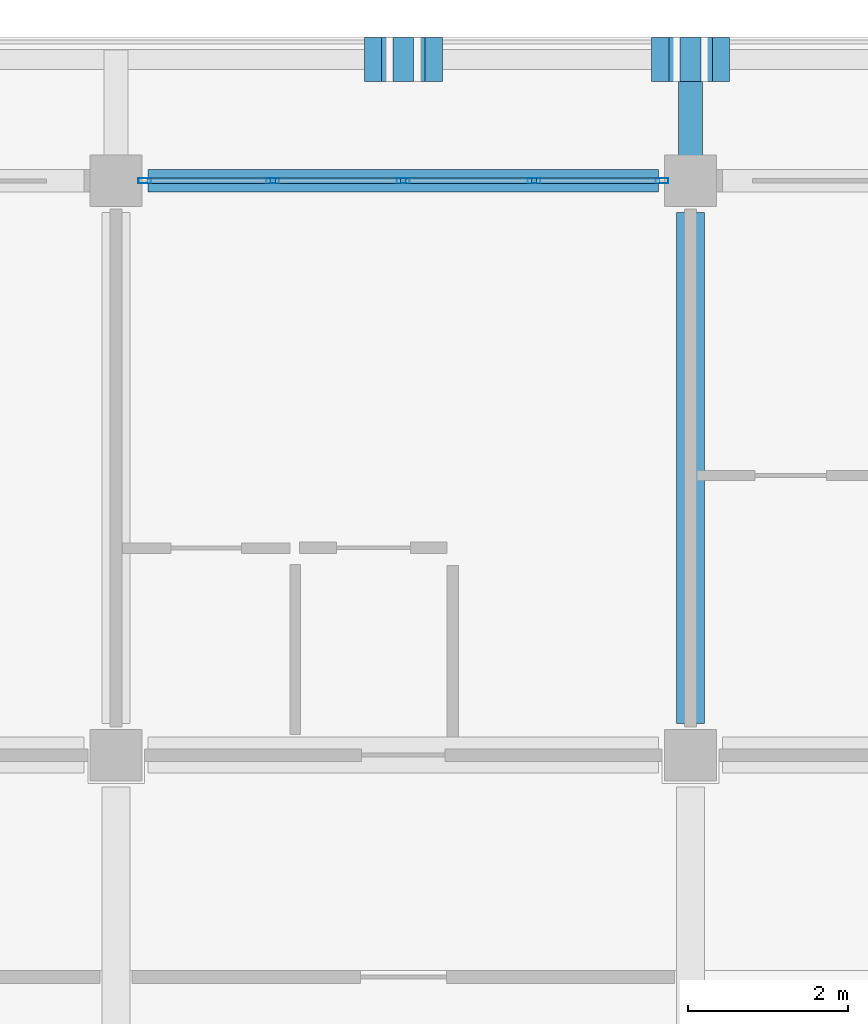
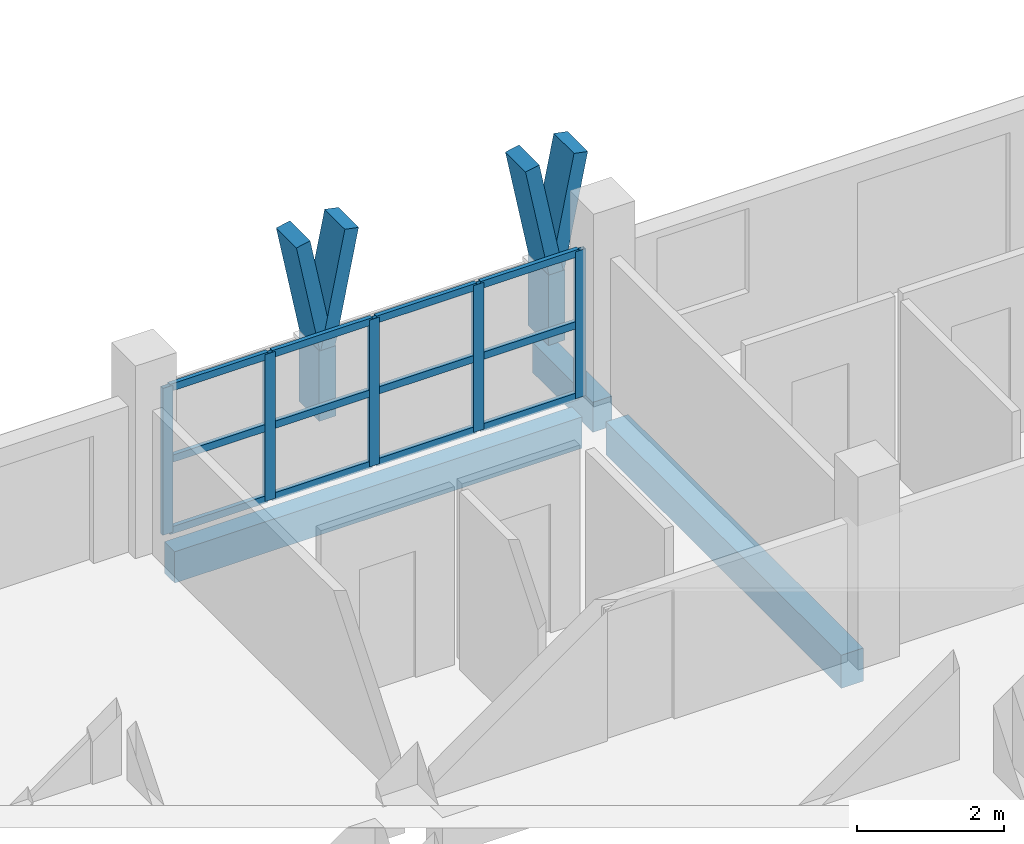
# One storey, part 35 of 157: 23 members, 3 beams, 1 element without a shape of its own.
"""IFC4 building model written with IfcOpenShell, lengths in metres."""

from ifc_helpers import new_model, si_unit, direction, frame, origin, origin_2d, place, context, subcontext, project, spatial, rectangle, hollow_rectangle, extrude, material, material_profile, profile_set, type_object, element, aggregate, save


model = new_model("IFC4")

# Units and contexts
model_context = context("Model", 3, precision=1e-05, world=origin(), true_north=direction((0.0, 1.0)))
body_context = subcontext(model_context, "Body", "Model", "MODEL_VIEW")
ifc_project = project(units=[si_unit("LENGTHUNIT", "METRE"), si_unit("AREAUNIT", "SQUARE_METRE"), si_unit("VOLUMEUNIT", "CUBIC_METRE"), si_unit("PLANEANGLEUNIT", "RADIAN"), si_unit("MASSUNIT", "GRAM", prefix="KILO")], contexts=[model_context])

# Site, building, storey
site_placement = place(None, origin())
site = spatial("IfcSite", under=ifc_project, at=site_placement, CompositionType="ELEMENT")
building_placement = place(site_placement, origin())
building = spatial("IfcBuilding", under=site, at=building_placement, Name="Suanplinth Sawtooth Commons", CompositionType="ELEMENT")
storey_placement = place(building_placement, frame((0.0, 0.0, 9.0)))
storey = spatial("IfcBuildingStorey", under=building, at=storey_placement, Name="L02", CompositionType="ELEMENT", Elevation=9.0)

# Beams
ifc_material_1 = material(Name="Precast concrete C40/50", Category="concrete")
ifc_material_profile_1 = material_profile(ifc_material_1, rectangle(XDim=0.35009765625, YDim=0.550048828125, at=origin_2d()), Name="PC-BM 350x550")
ifc_profile_set_1 = profile_set([ifc_material_profile_1], Name="Precast concrete C40/50")
beam_type_1 = type_object("IfcBeamType", Name="B-06", PredefinedType="BEAM", material=ifc_profile_set_1)
beam_1_placement = place(storey_placement, frame((43.199951171875, 115.60009765625, -0.52490234375), z_axis=(0.0, 1.0, 0.0), x_axis=(-1.0, 0.0, 0.0)))
element("IfcBeam", 1, at=beam_1_placement, inside=storey, type_object=beam_type_1, Name="BMY-L02-A-6-16", PredefinedType="BEAM", context=body_context, shape_type="SweptSolid", body=[
    extrude(rectangle(XDim=0.35009765625, YDim=0.550048828125, at=origin_2d()), origin(), (0.0, 0.0, 1.0), 6.39990234375),
])
ifc_material_profile_2 = material_profile(ifc_material_1, rectangle(XDim=0.300048828125, YDim=0.5, at=origin_2d()), Name="PC-BM 300x500")
ifc_profile_set_2 = profile_set([ifc_material_profile_2], Name="Precast concrete C40/50")
beam_type_2 = type_object("IfcBeamType", Name="B-07", PredefinedType="BEAM", material=ifc_profile_set_2)
beam_2_placement = place(storey_placement, frame((43.199951171875, 122.39990234375, -0.429931640625), z_axis=(0.0, 1.0, 0.0), x_axis=(-1.0, 0.0, 0.0)))
element("IfcBeam", 2, at=beam_2_placement, inside=storey, type_object=beam_type_2, Name="Balcony Outrigger L02-A-N-6", PredefinedType="BEAM", context=body_context, shape_type="SweptSolid", body=[
    extrude(rectangle(XDim=0.300048828125, YDim=0.5, at=origin_2d()), origin(), (0.0, 0.0, 1.0), 1.64013671875),
])
ifc_material_profile_3 = material_profile(ifc_material_1, rectangle(XDim=0.280029296875, YDim=0.52001953125, at=origin_2d()), Name="PC-SP 280x520")
ifc_profile_set_3 = profile_set([ifc_material_profile_3], Name="Precast concrete C40/50")
beam_type_3 = type_object("IfcBeamType", Name="B-08", PredefinedType="SPANDREL", material=ifc_profile_set_3)
beam_3_placement = place(storey_placement, frame((36.39990234375, 122.39990234375, -0.510009765625), z_axis=(1.0, 0.0, 0.0), x_axis=(0.0, 1.0, 0.0)))
element("IfcBeam", 3, at=beam_3_placement, inside=storey, type_object=beam_type_3, Name="BMX-L02-A-5-17", PredefinedType="SPANDREL", context=body_context, shape_type="SweptSolid", body=[
    extrude(rectangle(XDim=0.280029296875, YDim=0.52001953125, at=origin_2d()), origin(), (0.0, 0.0, 1.0), 6.400146484375),
])

# Members
ifc_material_2 = material(Name="Pigmented precast concrete C40/50", Category="concrete")
ifc_material_profile_4 = material_profile(ifc_material_2, rectangle(XDim=0.260009765625, YDim=0.550048828125, at=origin_2d()), Name="PC-FIN 260x550")
ifc_profile_set_4 = profile_set([ifc_material_profile_4], Name="Pigmented precast concrete C40/50")
member_type_1 = type_object("IfcMemberType", Name="M-09", PredefinedType="USERDEFINED", material=ifc_profile_set_4)
for number, where, z_axis, x_axis, name in (
    (4, (39.60009765625, 123.919921875, 0.0), (0.0, 0.0, 1.0), (1.0, 0.0, 0.0), "Y-Blade Stem L02-A-N-04"),
    (5, (43.199951171875, 123.919921875, 0.0), (0.0, 0.0, 1.0), (1.0, 0.0, 0.0), "Y-Blade Stem L02-A-N-05"),
):
    element("IfcMember", number, at=place(storey_placement, frame(where, z_axis=z_axis, x_axis=x_axis)), inside=storey, type_object=member_type_1, Name=name, ObjectType="SHADING FIN", PredefinedType="USERDEFINED", context=body_context, shape_type="SweptSolid", body=[
        extrude(rectangle(XDim=0.260009765625, YDim=0.550048828125, at=origin_2d()), origin(), (0.0, 0.0, 1.0), 1.169921875),
    ])
ifc_material_profile_5 = material_profile(ifc_material_2, rectangle(XDim=0.219970703125, YDim=0.550048828125, at=origin_2d()), Name="PC-FIN 220x550")
ifc_profile_set_5 = profile_set([ifc_material_profile_5], Name="Pigmented precast concrete C40/50")
member_type_2 = type_object("IfcMemberType", Name="M-10", PredefinedType="USERDEFINED", material=ifc_profile_set_5)
member_1_placement = place(storey_placement, frame((39.60009765625, 123.919921875, 1.1298828125), z_axis=(-0.196406855569, 0.0, 0.980522486782), x_axis=(0.980522486782, 0.0, 0.196406855569)))
element("IfcMember", 6, at=member_1_placement, inside=storey, type_object=member_type_2, Name="Y-Blade Arm L L02-A-N-04", ObjectType="SHADING FIN", PredefinedType="USERDEFINED", context=body_context, shape_type="SweptSolid", body=[
    extrude(rectangle(XDim=0.219970703125, YDim=0.550048828125, at=origin_2d()), origin(), (0.0, 0.0, 1.0), 1.93798828125),
])
for number, where, z_axis, x_axis, name in (
    (7, (39.60009765625, 123.919921875, 1.1298828125), (0.196285728346, 0.0, 0.980546741796), (-0.980546741796, 0.0, 0.196285728346), "Y-Blade Arm R L02-A-N-04"),
    (8, (43.199951171875, 123.919921875, 1.1298828125), (-0.196285728346, 0.0, 0.980546741796), (0.980546741796, 0.0, 0.196285728346), "Y-Blade Arm L L02-A-N-05"),
):
    element("IfcMember", number, at=place(storey_placement, frame(where, z_axis=z_axis, x_axis=x_axis)), inside=storey, type_object=member_type_2, Name=name, ObjectType="SHADING FIN", PredefinedType="USERDEFINED", context=body_context, shape_type="SweptSolid", body=[
        extrude(rectangle(XDim=0.219970703125, YDim=0.550048828125, at=origin_2d()), origin(), (0.0, 0.0, 1.0), 1.937744140625),
    ])
member_2_placement = place(storey_placement, frame((43.199951171875, 123.919921875, 1.1298828125), z_axis=(0.196406855569, 0.0, 0.980522486782), x_axis=(-0.980522486782, 0.0, 0.196406855569)))
element("IfcMember", 9, at=member_2_placement, inside=storey, type_object=member_type_2, Name="Y-Blade Arm R L02-A-N-05", ObjectType="SHADING FIN", PredefinedType="USERDEFINED", context=body_context, shape_type="SweptSolid", body=[
    extrude(rectangle(XDim=0.219970703125, YDim=0.550048828125, at=origin_2d()), origin(), (0.0, 0.0, 1.0), 1.93798828125),
])

# Curtain wall, members
ifc_material_3 = material(Name="Anodized aluminium and low-E glazing", Category="aluminium")
curtain_wall_type = type_object("IfcCurtainWallType", Name="CW-06", PredefinedType="USERDEFINED", material=ifc_material_3)
curtain_wall_placement = place(storey_placement, origin())
curtain_wall = element("IfcCurtainWall", 10, at=curtain_wall_placement, inside=storey, type_object=curtain_wall_type, Name="Curtain Wall CW-L02-A-LOUNGE-5", ObjectType="CURTAIN WALL", PredefinedType="USERDEFINED")
ifc_material_4 = material(Name="Anodized aluminium 6063-T6", Category="aluminium")
ifc_material_profile_6 = material_profile(ifc_material_4, hollow_rectangle(XDim=0.06494140625, YDim=0.159912109375, WallThickness=0.00390625, at=origin_2d()), Name="ALU-MUL 65x160")
ifc_profile_set_6 = profile_set([ifc_material_profile_6], Name="Anodized aluminium 6063-T6")
member_type_3 = type_object("IfcMemberType", Name="M-13", PredefinedType="MULLION", material=ifc_profile_set_6)
member_3_placement = place(storey_placement, frame((36.357421875, 122.39990234375, 0.0), z_axis=(0.0, 0.0, 1.0), x_axis=(0.0, 1.0, 0.0)))
member_3 = element("IfcMember", 11, at=member_3_placement, type_object=member_type_3, Name="CW-06 mullion 1", PredefinedType="MULLION", context=body_context, shape_type="SweptSolid", body=[
    extrude(hollow_rectangle(XDim=0.06494140625, YDim=0.159912109375, WallThickness=0.00390625, at=origin_2d()), origin(), (0.0, 0.0, 1.0), 2.43994140625),
])
member_4_placement = place(storey_placement, frame((37.96240234375, 122.39990234375, 0.0), z_axis=(0.0, 0.0, 1.0), x_axis=(0.0, 1.0, 0.0)))
member_4 = element("IfcMember", 12, at=member_4_placement, type_object=member_type_3, Name="CW-06 mullion 2", PredefinedType="MULLION", context=body_context, shape_type="SweptSolid", body=[
    extrude(hollow_rectangle(XDim=0.06494140625, YDim=0.159912109375, WallThickness=0.00390625, at=origin_2d()), origin(), (0.0, 0.0, 1.0), 2.43994140625),
])
member_5_placement = place(storey_placement, frame((39.60009765625, 122.39990234375, 0.0), z_axis=(0.0, 0.0, 1.0), x_axis=(0.0, 1.0, 0.0)))
member_5 = element("IfcMember", 13, at=member_5_placement, type_object=member_type_3, Name="CW-06 mullion 3", PredefinedType="MULLION", context=body_context, shape_type="SweptSolid", body=[
    extrude(hollow_rectangle(XDim=0.06494140625, YDim=0.159912109375, WallThickness=0.00390625, at=origin_2d()), origin(), (0.0, 0.0, 1.0), 2.43994140625),
])
member_6_placement = place(storey_placement, frame((41.237548828125, 122.39990234375, 0.0), z_axis=(0.0, 0.0, 1.0), x_axis=(0.0, 1.0, 0.0)))
member_6 = element("IfcMember", 14, at=member_6_placement, type_object=member_type_3, Name="CW-06 mullion 4", PredefinedType="MULLION", context=body_context, shape_type="SweptSolid", body=[
    extrude(hollow_rectangle(XDim=0.06494140625, YDim=0.159912109375, WallThickness=0.00390625, at=origin_2d()), origin(), (0.0, 0.0, 1.0), 2.43994140625),
])
member_7_placement = place(storey_placement, frame((42.842529296875, 122.39990234375, 0.0), z_axis=(0.0, 0.0, 1.0), x_axis=(0.0, 1.0, 0.0)))
member_7 = element("IfcMember", 15, at=member_7_placement, type_object=member_type_3, Name="CW-06 mullion 5", PredefinedType="MULLION", context=body_context, shape_type="SweptSolid", body=[
    extrude(hollow_rectangle(XDim=0.06494140625, YDim=0.159912109375, WallThickness=0.00390625, at=origin_2d()), origin(), (0.0, 0.0, 1.0), 2.43994140625),
])
ifc_material_profile_7 = material_profile(ifc_material_4, hollow_rectangle(XDim=0.06494140625, YDim=0.1201171875, WallThickness=0.00390625, at=origin_2d()), Name="ALU-TRN 65x120")
ifc_profile_set_7 = profile_set([ifc_material_profile_7], Name="Anodized aluminium 6063-T6")
member_type_4 = type_object("IfcMemberType", Name="M-15", PredefinedType="USERDEFINED", material=ifc_profile_set_7)
member_8_placement = place(storey_placement, frame((36.389892578125, 122.39990234375, 0.032470703125), z_axis=(1.0, 0.0, 0.0), x_axis=(0.0, 1.0, 0.0)))
member_8 = element("IfcMember", 16, at=member_8_placement, type_object=member_type_4, Name="CW-06 transom 1.1", ObjectType="TRANSOM", PredefinedType="USERDEFINED", context=body_context, shape_type="SweptSolid", body=[
    extrude(hollow_rectangle(XDim=0.06494140625, YDim=0.1201171875, WallThickness=0.00390625, at=origin_2d()), origin(), (0.0, 0.0, 1.0), 1.5400390625),
])
member_9_placement = place(storey_placement, frame((36.389892578125, 122.39990234375, 1.219970703125), z_axis=(1.0, 0.0, 0.0), x_axis=(0.0, 1.0, 0.0)))
member_9 = element("IfcMember", 17, at=member_9_placement, type_object=member_type_4, Name="CW-06 transom 1.2", ObjectType="TRANSOM", PredefinedType="USERDEFINED", context=body_context, shape_type="SweptSolid", body=[
    extrude(hollow_rectangle(XDim=0.06494140625, YDim=0.1201171875, WallThickness=0.00390625, at=origin_2d()), origin(), (0.0, 0.0, 1.0), 1.5400390625),
])
member_10_placement = place(storey_placement, frame((36.389892578125, 122.39990234375, 2.407470703125), z_axis=(1.0, 0.0, 0.0), x_axis=(0.0, 1.0, 0.0)))
member_10 = element("IfcMember", 18, at=member_10_placement, type_object=member_type_4, Name="CW-06 transom 1.3", ObjectType="TRANSOM", PredefinedType="USERDEFINED", context=body_context, shape_type="SweptSolid", body=[
    extrude(hollow_rectangle(XDim=0.06494140625, YDim=0.1201171875, WallThickness=0.00390625, at=origin_2d()), origin(), (0.0, 0.0, 1.0), 1.5400390625),
])
member_11_placement = place(storey_placement, frame((37.9951171875, 122.39990234375, 0.032470703125), z_axis=(1.0, 0.0, 0.0), x_axis=(0.0, 1.0, 0.0)))
member_11 = element("IfcMember", 19, at=member_11_placement, type_object=member_type_4, Name="CW-06 transom 2.1", ObjectType="TRANSOM", PredefinedType="USERDEFINED", context=body_context, shape_type="SweptSolid", body=[
    extrude(hollow_rectangle(XDim=0.06494140625, YDim=0.1201171875, WallThickness=0.00390625, at=origin_2d()), origin(), (0.0, 0.0, 1.0), 1.572265625),
])
member_12_placement = place(storey_placement, frame((37.9951171875, 122.39990234375, 1.219970703125), z_axis=(1.0, 0.0, 0.0), x_axis=(0.0, 1.0, 0.0)))
member_12 = element("IfcMember", 20, at=member_12_placement, type_object=member_type_4, Name="CW-06 transom 2.2", ObjectType="TRANSOM", PredefinedType="USERDEFINED", context=body_context, shape_type="SweptSolid", body=[
    extrude(hollow_rectangle(XDim=0.06494140625, YDim=0.1201171875, WallThickness=0.00390625, at=origin_2d()), origin(), (0.0, 0.0, 1.0), 1.572265625),
])
member_13_placement = place(storey_placement, frame((37.9951171875, 122.39990234375, 2.407470703125), z_axis=(1.0, 0.0, 0.0), x_axis=(0.0, 1.0, 0.0)))
member_13 = element("IfcMember", 21, at=member_13_placement, type_object=member_type_4, Name="CW-06 transom 2.3", ObjectType="TRANSOM", PredefinedType="USERDEFINED", context=body_context, shape_type="SweptSolid", body=[
    extrude(hollow_rectangle(XDim=0.06494140625, YDim=0.1201171875, WallThickness=0.00390625, at=origin_2d()), origin(), (0.0, 0.0, 1.0), 1.572265625),
])
member_14_placement = place(storey_placement, frame((39.632568359375, 122.39990234375, 0.032470703125), z_axis=(1.0, 0.0, 0.0), x_axis=(0.0, 1.0, 0.0)))
member_14 = element("IfcMember", 22, at=member_14_placement, type_object=member_type_4, Name="CW-06 transom 3.1", ObjectType="TRANSOM", PredefinedType="USERDEFINED", context=body_context, shape_type="SweptSolid", body=[
    extrude(hollow_rectangle(XDim=0.06494140625, YDim=0.1201171875, WallThickness=0.00390625, at=origin_2d()), origin(), (0.0, 0.0, 1.0), 1.572509765625),
])
member_15_placement = place(storey_placement, frame((39.632568359375, 122.39990234375, 1.219970703125), z_axis=(1.0, 0.0, 0.0), x_axis=(0.0, 1.0, 0.0)))
member_15 = element("IfcMember", 23, at=member_15_placement, type_object=member_type_4, Name="CW-06 transom 3.2", ObjectType="TRANSOM", PredefinedType="USERDEFINED", context=body_context, shape_type="SweptSolid", body=[
    extrude(hollow_rectangle(XDim=0.06494140625, YDim=0.1201171875, WallThickness=0.00390625, at=origin_2d()), origin(), (0.0, 0.0, 1.0), 1.572509765625),
])
member_16_placement = place(storey_placement, frame((39.632568359375, 122.39990234375, 2.407470703125), z_axis=(1.0, 0.0, 0.0), x_axis=(0.0, 1.0, 0.0)))
member_16 = element("IfcMember", 24, at=member_16_placement, type_object=member_type_4, Name="CW-06 transom 3.3", ObjectType="TRANSOM", PredefinedType="USERDEFINED", context=body_context, shape_type="SweptSolid", body=[
    extrude(hollow_rectangle(XDim=0.06494140625, YDim=0.1201171875, WallThickness=0.00390625, at=origin_2d()), origin(), (0.0, 0.0, 1.0), 1.572509765625),
])
member_17_placement = place(storey_placement, frame((41.27001953125, 122.39990234375, 0.032470703125), z_axis=(1.0, 0.0, 0.0), x_axis=(0.0, 1.0, 0.0)))
member_17 = element("IfcMember", 25, at=member_17_placement, type_object=member_type_4, Name="CW-06 transom 4.1", ObjectType="TRANSOM", PredefinedType="USERDEFINED", context=body_context, shape_type="SweptSolid", body=[
    extrude(hollow_rectangle(XDim=0.06494140625, YDim=0.1201171875, WallThickness=0.00390625, at=origin_2d()), origin(), (0.0, 0.0, 1.0), 1.5400390625),
])
member_18_placement = place(storey_placement, frame((41.27001953125, 122.39990234375, 1.219970703125), z_axis=(1.0, 0.0, 0.0), x_axis=(0.0, 1.0, 0.0)))
member_18 = element("IfcMember", 26, at=member_18_placement, type_object=member_type_4, Name="CW-06 transom 4.2", ObjectType="TRANSOM", PredefinedType="USERDEFINED", context=body_context, shape_type="SweptSolid", body=[
    extrude(hollow_rectangle(XDim=0.06494140625, YDim=0.1201171875, WallThickness=0.00390625, at=origin_2d()), origin(), (0.0, 0.0, 1.0), 1.5400390625),
])
member_19_placement = place(storey_placement, frame((41.27001953125, 122.39990234375, 2.407470703125), z_axis=(1.0, 0.0, 0.0), x_axis=(0.0, 1.0, 0.0)))
member_19 = element("IfcMember", 27, at=member_19_placement, type_object=member_type_4, Name="CW-06 transom 4.3", ObjectType="TRANSOM", PredefinedType="USERDEFINED", context=body_context, shape_type="SweptSolid", body=[
    extrude(hollow_rectangle(XDim=0.06494140625, YDim=0.1201171875, WallThickness=0.00390625, at=origin_2d()), origin(), (0.0, 0.0, 1.0), 1.5400390625),
])
aggregate(curtain_wall, [member_3, member_4, member_5, member_6, member_7, member_8, member_9, member_10, member_11, member_12, member_13, member_14, member_15, member_16, member_17, member_18, member_19])

save(model, "model.ifc")
